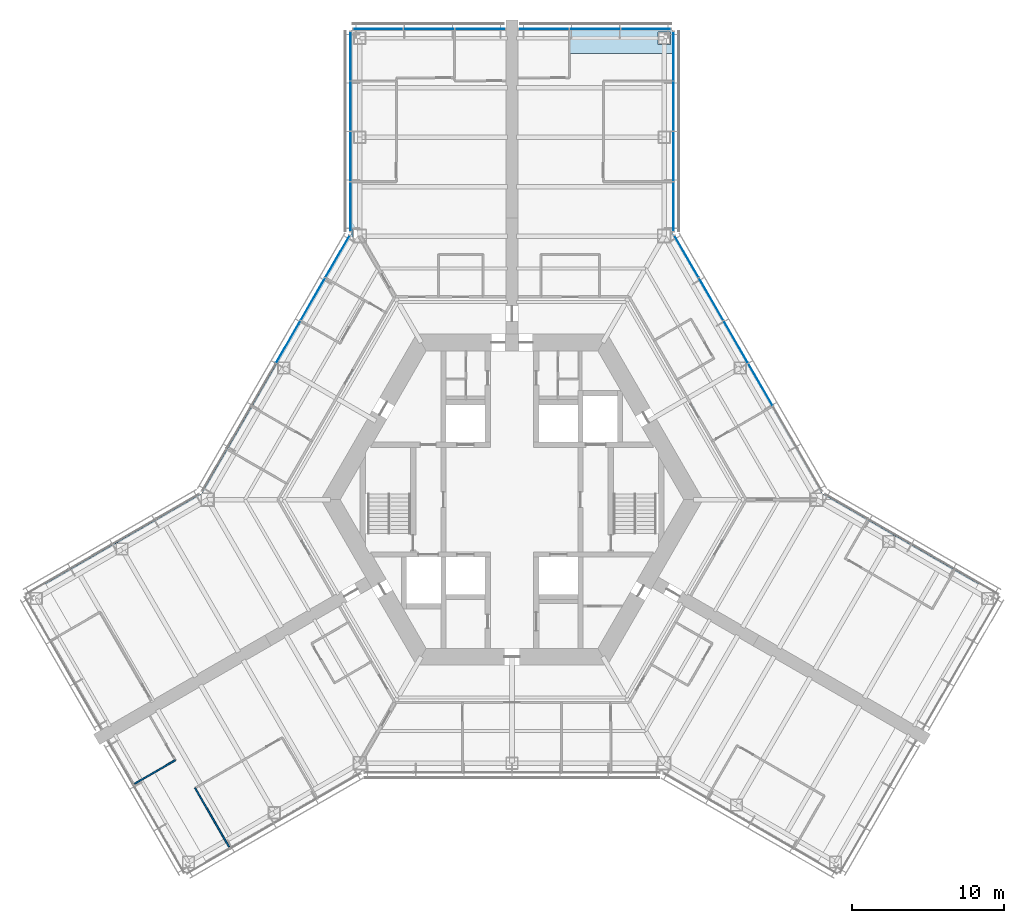
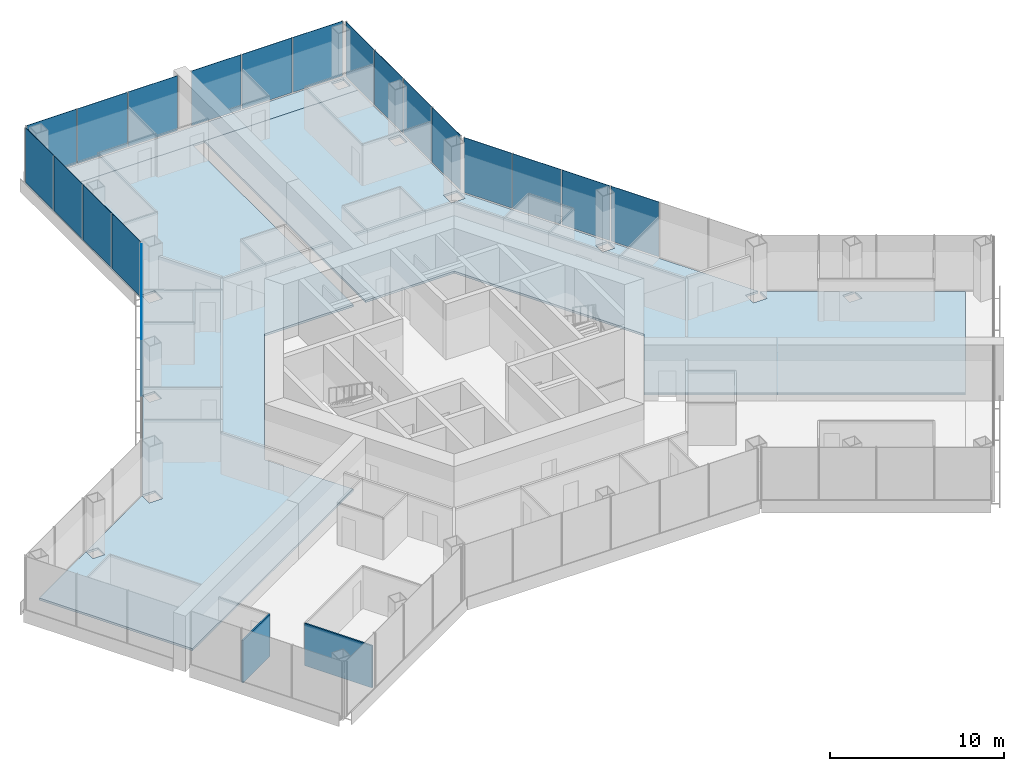
# One storey, part 11 of 19: 21 plates, 3 slabs, 2 walls, 6 elements without a shape of their own.
"""IFC4 building model written with IfcOpenShell, lengths in metres."""

from ifc_helpers import new_model, si_unit, direction, frame, frame_2d, origin, origin_2d, place, context, subcontext, project, spatial, polyline, rectangle, outline, extrude, material, layer, layer_set, type_object, element, aggregate, save


model = new_model("IFC4")

# Units and contexts
model_context = context("Model", 3, precision=1e-05, world=origin(), true_north=direction((0.0, 1.0)))
body_context = subcontext(model_context, "Body", "Model", "MODEL_VIEW")
ifc_project = project(units=[si_unit("LENGTHUNIT", "METRE"), si_unit("AREAUNIT", "SQUARE_METRE"), si_unit("VOLUMEUNIT", "CUBIC_METRE"), si_unit("PLANEANGLEUNIT", "RADIAN"), si_unit("MASSUNIT", "GRAM", prefix="KILO")], contexts=[model_context])

# Site, building, storey
site_placement = place(None, origin())
site = spatial("IfcSite", under=ifc_project, at=site_placement, CompositionType="ELEMENT")
building_placement = place(site_placement, origin())
building = spatial("IfcBuilding", under=site, at=building_placement, Name="Kasaneha Research Tower", CompositionType="ELEMENT")
storey_placement = place(building_placement, frame((0.0, 0.0, 88.5)))
storey = spatial("IfcBuildingStorey", under=building, at=storey_placement, Name="L22", CompositionType="ELEMENT", Elevation=88.5)

# Curtain wall, plates
ifc_material_1 = material(Name="Glass and aluminium", Category="aluminium")
curtain_wall_type = type_object("IfcCurtainWallType", Name="Low-rise office curtain wall", PredefinedType="USERDEFINED", material=ifc_material_1)
curtain_wall_1_placement = place(storey_placement, origin())
curtain_wall_1 = element("IfcCurtainWall", 1, at=curtain_wall_1_placement, inside=storey, type_object=curtain_wall_type, Name="CW-O1 L22 run 07a", ObjectType="UNITISED CURTAIN WALL", PredefinedType="USERDEFINED")
ifc_material_2 = material(Name="Laminated double glazing", Category="glass")
ifc_layer_1 = layer(ifc_material_2, 0.028076171875)
ifc_layer_set_1 = layer_set([ifc_layer_1], Name="CW-O1 glazed panel")
plate_type = type_object("IfcPlateType", Name="CW-O1 glazed panel", PredefinedType="CURTAIN_PANEL", material=ifc_layer_set_1)
plate_1_placement = place(storey_placement, frame((16.331298828125, 7.554443359375, 0.06005859375), z_axis=(0.0, 0.0, 1.0), x_axis=(-0.49999996188, 0.866025425793, 0.0)))
plate_1 = element("IfcPlate", 2, at=plate_1_placement, type_object=plate_type, Name="CW-O1 panel 3", PredefinedType="CURTAIN_PANEL", context=body_context, shape_type="SweptSolid", body=[
    extrude(rectangle(XDim=3.1865234375, YDim=0.028076171875, at=origin_2d()), origin(), (0.0, 0.0, 1.0), 3.840087890625),
])
plate_2_placement = place(storey_placement, frame((14.7080078125, 10.365966796875, 0.06005859375), z_axis=(0.0, 0.0, 1.0), x_axis=(-0.49999996188, 0.866025425793, 0.0)))
plate_2 = element("IfcPlate", 3, at=plate_2_placement, type_object=plate_type, Name="CW-O1 panel 4", PredefinedType="CURTAIN_PANEL", context=body_context, shape_type="SweptSolid", body=[
    extrude(rectangle(XDim=3.1865234375, YDim=0.028076171875, at=origin_2d()), origin(), (0.0, 0.0, 1.0), 3.840087890625),
])
plate_3_placement = place(storey_placement, frame((13.084716796875, 13.177490234375, 0.06005859375), z_axis=(0.0, 0.0, 1.0), x_axis=(-0.49999996188, 0.866025425793, 0.0)))
plate_3 = element("IfcPlate", 4, at=plate_3_placement, type_object=plate_type, Name="CW-O1 panel 5", PredefinedType="CURTAIN_PANEL", context=body_context, shape_type="SweptSolid", body=[
    extrude(rectangle(XDim=3.1865234375, YDim=0.028076171875, at=origin_2d()), origin(), (0.0, 0.0, 1.0), 3.840087890625),
])
plate_4_placement = place(storey_placement, frame((11.468994140625, 15.975830078125, 0.06005859375), z_axis=(0.0, 0.0, 1.0), x_axis=(-0.49999996188, 0.866025425793, 0.0)))
plate_4 = element("IfcPlate", 5, at=plate_4_placement, type_object=plate_type, Name="CW-O1 panel 6", PredefinedType="CURTAIN_PANEL", context=body_context, shape_type="SweptSolid", body=[
    extrude(rectangle(XDim=3.156494140625, YDim=0.028076171875, at=origin_2d()), origin(), (0.0, 0.0, 1.0), 3.840087890625),
])
aggregate(curtain_wall_1, [plate_1, plate_2, plate_3, plate_4])

curtain_wall_2_placement = place(storey_placement, origin())
curtain_wall_2 = element("IfcCurtainWall", 6, at=curtain_wall_2_placement, inside=storey, type_object=curtain_wall_type, Name="CW-O1 L22 run 08a", ObjectType="UNITISED CURTAIN WALL", PredefinedType="USERDEFINED")
plate_5_placement = place(storey_placement, frame((10.60009765625, 19.251220703125, 0.06005859375), z_axis=(0.0, 0.0, 1.0), x_axis=(0.0, 1.0, 0.0)))
plate_5 = element("IfcPlate", 7, at=plate_5_placement, type_object=plate_type, Name="CW-O1 panel 1", PredefinedType="CURTAIN_PANEL", context=body_context, shape_type="SweptSolid", body=[
    extrude(rectangle(XDim=3.2197265625, YDim=0.028076171875, at=origin_2d()), origin(), (0.0, 0.0, 1.0), 3.840087890625),
])
plate_6_placement = place(storey_placement, frame((10.60009765625, 22.5458984375, 0.06005859375), z_axis=(0.0, 0.0, 1.0), x_axis=(0.0, 1.0, 0.0)))
plate_6 = element("IfcPlate", 8, at=plate_6_placement, type_object=plate_type, Name="CW-O1 panel 2", PredefinedType="CURTAIN_PANEL", context=body_context, shape_type="SweptSolid", body=[
    extrude(rectangle(XDim=3.249755859375, YDim=0.028076171875, at=origin_2d()), origin(), (0.0, 0.0, 1.0), 3.840087890625),
])
plate_7_placement = place(storey_placement, frame((10.60009765625, 25.855712890625, 0.06005859375), z_axis=(0.0, 0.0, 1.0), x_axis=(0.0, 1.0, 0.0)))
plate_7 = element("IfcPlate", 9, at=plate_7_placement, type_object=plate_type, Name="CW-O1 panel 3", PredefinedType="CURTAIN_PANEL", context=body_context, shape_type="SweptSolid", body=[
    extrude(rectangle(XDim=3.249755859375, YDim=0.028076171875, at=origin_2d()), origin(), (0.0, 0.0, 1.0), 3.840087890625),
])
plate_8_placement = place(storey_placement, frame((10.60009765625, 29.150634765625, 0.06005859375), z_axis=(0.0, 0.0, 1.0), x_axis=(0.0, 1.0, 0.0)))
plate_8 = element("IfcPlate", 10, at=plate_8_placement, type_object=plate_type, Name="CW-O1 panel 4", PredefinedType="CURTAIN_PANEL", context=body_context, shape_type="SweptSolid", body=[
    extrude(rectangle(XDim=3.2197265625, YDim=0.028076171875, at=origin_2d()), origin(), (0.0, 0.0, 1.0), 3.840087890625),
])
aggregate(curtain_wall_2, [plate_5, plate_6, plate_7, plate_8])

curtain_wall_3_placement = place(storey_placement, origin())
curtain_wall_3 = element("IfcCurtainWall", 11, at=curtain_wall_3_placement, inside=storey, type_object=curtain_wall_type, Name="CW-O1 L22 run 09a", ObjectType="UNITISED CURTAIN WALL", PredefinedType="USERDEFINED")
plate_9_placement = place(storey_placement, frame((8.8017578125, 30.92041015625, 0.06005859375), z_axis=(0.0, 0.0, 1.0), x_axis=(-1.0, 0.0, 0.0)))
plate_9 = element("IfcPlate", 12, at=plate_9_placement, type_object=plate_type, Name="CW-O1 panel 1", PredefinedType="CURTAIN_PANEL", context=body_context, shape_type="SweptSolid", body=[
    extrude(rectangle(XDim=3.276611328125, YDim=0.028076171875, at=origin_2d()), origin(), (0.0, 0.0, 1.0), 3.840087890625),
])
plate_10_placement = place(storey_placement, frame((5.449951171875, 30.92041015625, 0.06005859375), z_axis=(0.0, 0.0, 1.0), x_axis=(-1.0, 0.0, 0.0)))
plate_10 = element("IfcPlate", 13, at=plate_10_placement, type_object=plate_type, Name="CW-O1 panel 2", PredefinedType="CURTAIN_PANEL", context=body_context, shape_type="SweptSolid", body=[
    extrude(rectangle(XDim=3.306640625, YDim=0.028076171875, at=origin_2d()), origin(), (0.0, 0.0, 1.0), 3.840087890625),
])
plate_11_placement = place(storey_placement, frame((2.098388671875, 30.92041015625, 0.06005859375), z_axis=(0.0, 0.0, 1.0), x_axis=(-1.0, 0.0, 0.0)))
plate_11 = element("IfcPlate", 14, at=plate_11_placement, type_object=plate_type, Name="CW-O1 panel 3", PredefinedType="CURTAIN_PANEL", context=body_context, shape_type="SweptSolid", body=[
    extrude(rectangle(XDim=3.276611328125, YDim=0.028076171875, at=origin_2d()), origin(), (0.0, 0.0, 1.0), 3.840087890625),
])
aggregate(curtain_wall_3, [plate_9, plate_10, plate_11])

curtain_wall_4_placement = place(storey_placement, origin())
curtain_wall_4 = element("IfcCurtainWall", 15, at=curtain_wall_4_placement, inside=storey, type_object=curtain_wall_type, Name="CW-O1 L22 run 10a", ObjectType="UNITISED CURTAIN WALL", PredefinedType="USERDEFINED")
plate_12_placement = place(storey_placement, frame((-2.098388671875, 30.92041015625, 0.06005859375), z_axis=(0.0, 0.0, 1.0), x_axis=(-1.0, 0.0, 0.0)))
plate_12 = element("IfcPlate", 16, at=plate_12_placement, type_object=plate_type, Name="CW-O1 panel 1", PredefinedType="CURTAIN_PANEL", context=body_context, shape_type="SweptSolid", body=[
    extrude(rectangle(XDim=3.276611328125, YDim=0.028076171875, at=origin_2d()), origin(), (0.0, 0.0, 1.0), 3.840087890625),
])
plate_13_placement = place(storey_placement, frame((-5.449951171875, 30.92041015625, 0.06005859375), z_axis=(0.0, 0.0, 1.0), x_axis=(-1.0, 0.0, 0.0)))
plate_13 = element("IfcPlate", 17, at=plate_13_placement, type_object=plate_type, Name="CW-O1 panel 2", PredefinedType="CURTAIN_PANEL", context=body_context, shape_type="SweptSolid", body=[
    extrude(rectangle(XDim=3.306640625, YDim=0.028076171875, at=origin_2d()), origin(), (0.0, 0.0, 1.0), 3.840087890625),
])
plate_14_placement = place(storey_placement, frame((-8.8017578125, 30.92041015625, 0.06005859375), z_axis=(0.0, 0.0, 1.0), x_axis=(-1.0, 0.0, 0.0)))
plate_14 = element("IfcPlate", 18, at=plate_14_placement, type_object=plate_type, Name="CW-O1 panel 3", PredefinedType="CURTAIN_PANEL", context=body_context, shape_type="SweptSolid", body=[
    extrude(rectangle(XDim=3.276611328125, YDim=0.028076171875, at=origin_2d()), origin(), (0.0, 0.0, 1.0), 3.840087890625),
])
aggregate(curtain_wall_4, [plate_12, plate_13, plate_14])

curtain_wall_5_placement = place(storey_placement, origin())
curtain_wall_5 = element("IfcCurtainWall", 19, at=curtain_wall_5_placement, inside=storey, type_object=curtain_wall_type, Name="CW-O1 L22 run 11a", ObjectType="UNITISED CURTAIN WALL", PredefinedType="USERDEFINED")
plate_15_placement = place(storey_placement, frame((-10.60009765625, 29.150634765625, 0.06005859375), z_axis=(0.0, 0.0, 1.0), x_axis=(0.0, -1.0, 0.0)))
plate_15 = element("IfcPlate", 20, at=plate_15_placement, type_object=plate_type, Name="CW-O1 panel 1", PredefinedType="CURTAIN_PANEL", context=body_context, shape_type="SweptSolid", body=[
    extrude(rectangle(XDim=3.2197265625, YDim=0.028076171875, at=origin_2d()), origin(), (0.0, 0.0, 1.0), 3.840087890625),
])
plate_16_placement = place(storey_placement, frame((-10.60009765625, 25.855712890625, 0.06005859375), z_axis=(0.0, 0.0, 1.0), x_axis=(0.0, -1.0, 0.0)))
plate_16 = element("IfcPlate", 21, at=plate_16_placement, type_object=plate_type, Name="CW-O1 panel 2", PredefinedType="CURTAIN_PANEL", context=body_context, shape_type="SweptSolid", body=[
    extrude(rectangle(XDim=3.249755859375, YDim=0.028076171875, at=origin_2d()), origin(), (0.0, 0.0, 1.0), 3.840087890625),
])
plate_17_placement = place(storey_placement, frame((-10.60009765625, 22.5458984375, 0.06005859375), z_axis=(0.0, 0.0, 1.0), x_axis=(0.0, -1.0, 0.0)))
plate_17 = element("IfcPlate", 22, at=plate_17_placement, type_object=plate_type, Name="CW-O1 panel 3", PredefinedType="CURTAIN_PANEL", context=body_context, shape_type="SweptSolid", body=[
    extrude(rectangle(XDim=3.249755859375, YDim=0.028076171875, at=origin_2d()), origin(), (0.0, 0.0, 1.0), 3.840087890625),
])
plate_18_placement = place(storey_placement, frame((-10.60009765625, 19.251220703125, 0.06005859375), z_axis=(0.0, 0.0, 1.0), x_axis=(0.0, -1.0, 0.0)))
plate_18 = element("IfcPlate", 23, at=plate_18_placement, type_object=plate_type, Name="CW-O1 panel 4", PredefinedType="CURTAIN_PANEL", context=body_context, shape_type="SweptSolid", body=[
    extrude(rectangle(XDim=3.2197265625, YDim=0.028076171875, at=origin_2d()), origin(), (0.0, 0.0, 1.0), 3.840087890625),
])
aggregate(curtain_wall_5, [plate_15, plate_16, plate_17, plate_18])

curtain_wall_6_placement = place(storey_placement, origin())
curtain_wall_6 = element("IfcCurtainWall", 24, at=curtain_wall_6_placement, inside=storey, type_object=curtain_wall_type, Name="CW-O1 L22 run 12a", ObjectType="UNITISED CURTAIN WALL", PredefinedType="USERDEFINED")
plate_19_placement = place(storey_placement, frame((-11.468994140625, 15.975830078125, 0.06005859375), z_axis=(0.0, 0.0, 1.0), x_axis=(-0.49999996188, -0.866025425793, 0.0)))
plate_19 = element("IfcPlate", 25, at=plate_19_placement, type_object=plate_type, Name="CW-O1 panel 1", PredefinedType="CURTAIN_PANEL", context=body_context, shape_type="SweptSolid", body=[
    extrude(rectangle(XDim=3.156494140625, YDim=0.028076171875, at=origin_2d()), origin(), (0.0, 0.0, 1.0), 3.840087890625),
])
plate_20_placement = place(storey_placement, frame((-13.084716796875, 13.177490234375, 0.06005859375), z_axis=(0.0, 0.0, 1.0), x_axis=(-0.49999996188, -0.866025425793, 0.0)))
plate_20 = element("IfcPlate", 26, at=plate_20_placement, type_object=plate_type, Name="CW-O1 panel 2", PredefinedType="CURTAIN_PANEL", context=body_context, shape_type="SweptSolid", body=[
    extrude(rectangle(XDim=3.1865234375, YDim=0.028076171875, at=origin_2d()), origin(), (0.0, 0.0, 1.0), 3.840087890625),
])
plate_21_placement = place(storey_placement, frame((-14.7080078125, 10.365966796875, 0.06005859375), z_axis=(0.0, 0.0, 1.0), x_axis=(-0.49999996188, -0.866025425793, 0.0)))
plate_21 = element("IfcPlate", 27, at=plate_21_placement, type_object=plate_type, Name="CW-O1 panel 3", PredefinedType="CURTAIN_PANEL", context=body_context, shape_type="SweptSolid", body=[
    extrude(rectangle(XDim=3.1865234375, YDim=0.028076171875, at=origin_2d()), origin(), (0.0, 0.0, 1.0), 3.840087890625),
])
aggregate(curtain_wall_6, [plate_19, plate_20, plate_21])

# Slabs
ifc_material_3 = material(Name="Concrete Fc24", Category="concrete")
ifc_layer_2 = layer(ifc_material_3, 0.14990234375)
ifc_layer_set_2 = layer_set([ifc_layer_2], Name="Floor slab 150")
slab_type = type_object("IfcSlabType", Name="Floor slab 150", PredefinedType="FLOOR", material=ifc_layer_set_2)
slab_1_placement = place(storey_placement, frame((0.0, 0.0, -0.14990234375)))
element("IfcSlab", 28, at=slab_1_placement, inside=storey, type_object=slab_type, Name="Floor slab L22 2", PredefinedType="FLOOR", context=body_context, shape_type="SweptSolid", body=[
    extrude(outline(polyline([(-20.375244140625, 0.449951171875), (-15.40771484375, 9.053955078125), (-15.400146484375, 9.046142578125), (-15.400146484375, 8.26025390625), (-14.599853515625, 8.26025390625), (-14.599853515625, 9.060302734375), (-15.385986328125, 9.060302734375), (-15.3974609375, 9.07177734375), (-10.550048828125, 17.4677734375), (-10.550048828125, 29.310546875), (-0.39990234375, 29.310546875), (-0.39990234375, 10.875), (-6.278564453125, 10.875), (-12.557373046875, 0.0), (-9.617919921875, -5.091064453125), (-25.583740234375, -14.308837890625), (-30.65869140625, -5.518798828125), (-26.040771484375, -2.8525390625), (-26.029296875, -2.864013671875), (-26.029296875, -3.650146484375), (-25.22900390625, -3.650146484375), (-25.22900390625, -2.849853515625), (-26.01513671875, -2.849853515625), (-26.02294921875, -2.84228515625), (-20.449951171875, 0.375244140625), (-20.449951171875, -0.449951171875), (-19.550048828125, -0.449951171875), (-19.550048828125, 0.449951171875), (-20.375244140625, 0.449951171875)]), holes=[polyline([(-9.550048828125, 17.7705078125), (-10.449951171875, 17.7705078125), (-10.449951171875, 16.87060546875), (-9.550048828125, 16.87060546875), (-9.550048828125, 17.7705078125)]), polyline([(-9.60009765625, 23.42041015625), (-9.60009765625, 24.220458984375), (-10.39990234375, 24.220458984375), (-10.39990234375, 23.42041015625), (-9.60009765625, 23.42041015625)])]), origin(), (0.0, 0.0, 1.0), 0.14990234375),
])
slab_2_placement = place(storey_placement, frame((0.0, 0.0, -0.14990234375)))
element("IfcSlab", 29, at=slab_2_placement, inside=storey, type_object=slab_type, Name="Floor slab L22 3", PredefinedType="FLOOR", context=body_context, shape_type="SweptSolid", body=[
    extrude(outline(polyline([(10.550048828125, 29.310546875), (0.39990234375, 29.310546875), (0.39990234375, 29.320556640625), (-0.39990234375, 29.320556640625), (-0.39990234375, 29.310546875), (-10.550048828125, 29.310546875), (-10.550048828125, 30.87060546875), (10.550048828125, 30.87060546875), (10.550048828125, 29.310546875)]), holes=[polyline([(-9.60009765625, 30.720458984375), (-10.39990234375, 30.720458984375), (-10.39990234375, 29.92041015625), (-9.60009765625, 29.92041015625), (-9.60009765625, 30.720458984375)]), polyline([(10.39990234375, 29.92041015625), (10.39990234375, 30.720458984375), (9.60009765625, 30.720458984375), (9.60009765625, 29.92041015625), (10.39990234375, 29.92041015625)])]), origin(), (0.0, 0.0, 1.0), 0.14990234375),
])
slab_3_placement = place(storey_placement, frame((0.0, 0.0, -0.14990234375)))
element("IfcSlab", 30, at=slab_3_placement, inside=storey, type_object=slab_type, Name="Floor slab L22 5", PredefinedType="FLOOR", context=body_context, shape_type="SweptSolid", body=[
    extrude(outline(polyline([(9.617919921875, -5.091064453125), (12.557373046875, 0.0), (6.278564453125, 10.875), (0.39990234375, 10.875), (0.39990234375, 29.310546875), (10.550048828125, 29.310546875), (10.550048828125, 17.4677734375), (15.3974609375, 9.07177734375), (15.385986328125, 9.060302734375), (14.599853515625, 9.060302734375), (14.599853515625, 8.26025390625), (15.400146484375, 8.26025390625), (15.400146484375, 9.046142578125), (15.40771484375, 9.053955078125), (20.375244140625, 0.449951171875), (19.550048828125, 0.449951171875), (19.550048828125, -0.449951171875), (20.449951171875, -0.449951171875), (20.449951171875, 0.375244140625), (25.15673828125, -2.34228515625), (25.149169921875, -2.349853515625), (24.363037109375, -2.349853515625), (24.363037109375, -3.150146484375), (25.163330078125, -3.150146484375), (25.163330078125, -2.364013671875), (25.1748046875, -2.3525390625), (30.65869140625, -5.518798828125), (25.583740234375, -14.308837890625), (9.617919921875, -5.091064453125)]), holes=[polyline([(10.449951171875, 16.87060546875), (10.449951171875, 17.7705078125), (9.550048828125, 17.7705078125), (9.550048828125, 16.87060546875), (10.449951171875, 16.87060546875)]), polyline([(10.39990234375, 23.42041015625), (10.39990234375, 24.220458984375), (9.60009765625, 24.220458984375), (9.60009765625, 23.42041015625), (10.39990234375, 23.42041015625)])]), origin(), (0.0, 0.0, 1.0), 0.14990234375),
])

# Walls
ifc_material_4 = material(Name="Gypsum board on steel studs, one layer each side", Category="steel")
ifc_layer_3 = layer(ifc_material_4, 0.10009765625)
ifc_layer_set_3 = layer_set([ifc_layer_3], Name="Office partition 100")
wall_type = type_object("IfcWallType", Name="Office partition 100", PredefinedType="PARTITIONING", material=ifc_layer_set_3)
wall_1_placement = place(storey_placement, frame((-18.5849609375, -22.831298828125, 0.0), z_axis=(0.0, 0.0, 1.0), x_axis=(-0.499989762656, 0.866031314237, 0.0)))
element("IfcWall", 31, at=wall_1_placement, inside=storey, type_object=wall_type, Name="Office partition FBS05 L22", PredefinedType="PARTITIONING", context=body_context, shape_type="SweptSolid", body=[
    extrude(rectangle(XDim=4.47998046875, YDim=0.10009765625, at=frame_2d((2.239990234375, 0.0))), origin(), (0.0, 0.0, 1.0), 2.949951171875),
])
wall_2_placement = place(storey_placement, frame((-22.123291015625, -17.122314453125, 0.0), z_axis=(0.0, 0.0, 1.0), x_axis=(-0.86602952684, -0.49999285859, 0.0)))
element("IfcWall", 32, at=wall_2_placement, inside=storey, type_object=wall_type, Name="Office partition FBS11 L22", PredefinedType="PARTITIONING", context=body_context, shape_type="SweptSolid", body=[
    extrude(rectangle(XDim=3.10009765625, YDim=0.10009765625, at=frame_2d((1.550048828125, 0.0))), origin(), (0.0, 0.0, 1.0), 2.949951171875),
])

save(model, "model.ifc")
